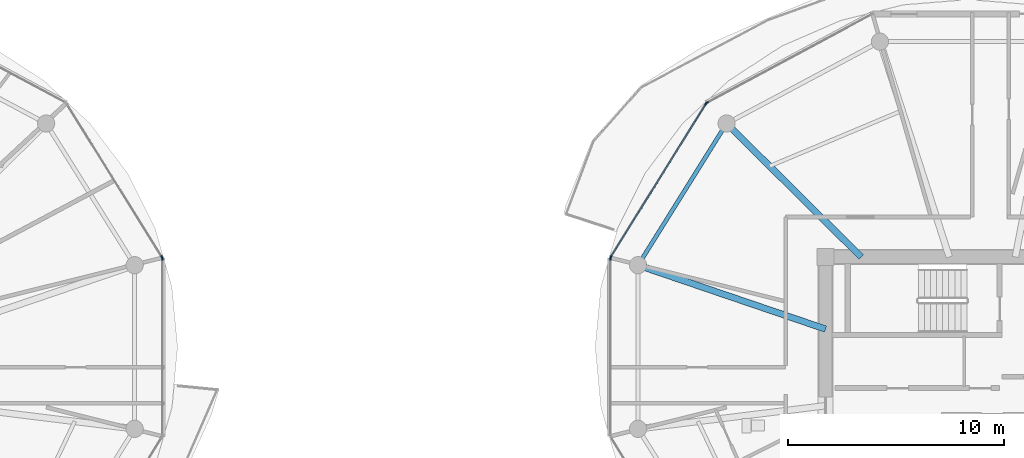
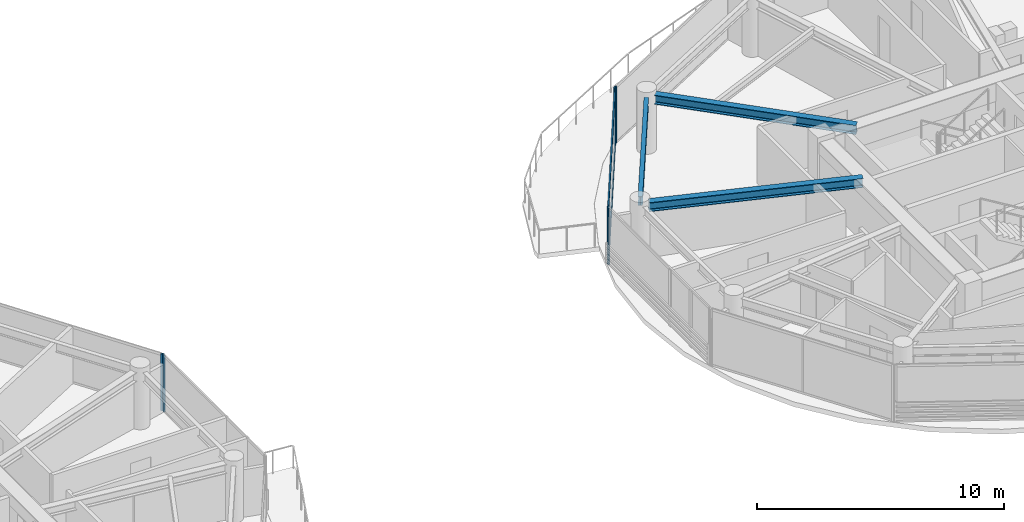
# One storey, part 7 of 23: 8 members, 3 beams, 5 elements without a shape of their own.
"""IFC4 building model written with IfcOpenShell, lengths in metres."""

import ifcopenshell
import ifcopenshell.guid

model = None  # the IFC model being written
_history = None  # IfcOwnerHistory: only IFC2X3 demands one
_inside = {}  # id of a spatial element -> (the spatial element, [elements in it])
_under = {}  # id of a project, library or spatial element -> (it, [spatial elements below it])
_declared = {}  # id of a project -> (the project, [libraries it declares])
_typed = {}  # id of a type object -> (the type object, [elements of that type])
_made_of = {}  # id of a material, layer set ... -> (it, [elements and type objects made of it])


def new_model(schema):
    """Start an empty IFC model of exactly this schema.

    Asked for "IFC4X3", IfcOpenShell would pick the latest addendum, in which some entities
    have other attributes; the version numbers below select the first issue.
    IFC2X3 requires an IfcOwnerHistory on every rooted entity: one is made here for all.
    """
    global model, _history
    if schema == "IFC4X3":
        model = ifcopenshell.file(schema_version=(4, 3, 0, 0))
    else:
        model = ifcopenshell.file(schema=schema)
    _inside.clear()
    _under.clear()
    _declared.clear()
    _typed.clear()
    _made_of.clear()
    _history = None
    if model.schema == "IFC2X3":
        org = make("IfcOrganization", Name="unknown")
        user = make(
            "IfcPersonAndOrganization",
            ThePerson=make("IfcPerson", FamilyName="unknown"),
            TheOrganization=org,
        )
        app = make(
            "IfcApplication",
            ApplicationDeveloper=org,
            Version="unknown",
            ApplicationFullName="unknown",
            ApplicationIdentifier="unknown",
        )
        _history = make(
            "IfcOwnerHistory",
            OwningUser=user,
            OwningApplication=app,
            ChangeAction="ADDED",
            CreationDate=0,
        )
    return model


def make(cls, **values):
    """One entity of the class cls with the attributes given. An attribute that is None is left unset."""
    return model.create_entity(
        cls, **{name: value for name, value in values.items() if value is not None}
    )


def rooted(cls, **values):
    """An entity with a GlobalId (a new one), such as an element, a storey or a relation."""
    return make(cls, GlobalId=ifcopenshell.guid.new(), OwnerHistory=_history, **values)


def si_unit(unit_type, name, prefix=None):
    """IfcSIUnit, for example si_unit("LENGTHUNIT", "METRE", prefix="MILLI")."""
    return make("IfcSIUnit", UnitType=unit_type, Prefix=prefix, Name=name)


def assignment(units):
    """IfcUnitAssignment: the units of a project."""
    return None if units is None else make("IfcUnitAssignment", Units=units)


def point(xyz):
    """IfcCartesianPoint."""
    return None if xyz is None else make("IfcCartesianPoint", Coordinates=xyz)


def direction(xyz):
    """IfcDirection."""
    return None if xyz is None else make("IfcDirection", DirectionRatios=xyz)


def frame(location, z_axis=None, x_axis=None):
    """IfcAxis2Placement3D, a coordinate frame: its origin and axes. An axis left out is left unset."""
    return make(
        "IfcAxis2Placement3D",
        Location=point(location),
        Axis=direction(z_axis),
        RefDirection=direction(x_axis),
    )


def frame_2d(location, x_axis=None):
    """IfcAxis2Placement2D, a coordinate frame in the plane: its origin and x axis."""
    return make(
        "IfcAxis2Placement2D", Location=point(location), RefDirection=direction(x_axis)
    )


def origin():
    """The frame at (0, 0, 0) with its axes left unset."""
    return frame((0.0, 0.0, 0.0))


def origin_2d():
    """The frame at (0, 0) in the plane with its x axis left unset."""
    return frame_2d((0.0, 0.0))


def place(relative_to, where):
    """IfcLocalPlacement: puts the frame where relative to a parent placement (None: the world)."""
    return make(
        "IfcLocalPlacement", PlacementRelTo=relative_to, RelativePlacement=where
    )


def context(
    kind, dimensions, precision=None, world=None, true_north=None, identifier=None
):
    """IfcGeometricRepresentationContext, for example the 3D "Model" context."""
    return make(
        "IfcGeometricRepresentationContext",
        ContextIdentifier=identifier,
        ContextType=kind,
        CoordinateSpaceDimension=dimensions,
        Precision=precision,
        WorldCoordinateSystem=world,
        TrueNorth=true_north,
    )


def subcontext(parent, identifier, kind, view, scale=None):
    """IfcGeometricRepresentationSubContext, for example "Body" below "Model"."""
    return make(
        "IfcGeometricRepresentationSubContext",
        ContextIdentifier=identifier,
        ContextType=kind,
        ParentContext=parent,
        TargetScale=scale,
        TargetView=view,
    )


def project(units=None, contexts=None):
    """IfcProject with its units and contexts."""
    return rooted(
        "IfcProject",
        Name="project",
        RepresentationContexts=contexts,
        UnitsInContext=assignment(units),
    )


def spatial(cls, under=None, at=None, **own):
    """A site, building, storey or space (cls), placed at a placement, below another one or the project."""
    s = rooted(cls, ObjectPlacement=at, **own)
    if under is not None:
        _under.setdefault(under.id(), (under, []))[1].append(s)
    return s


def profile(cls, at=None, kind="AREA", **sizes):
    """A parametric profile (cls). Its sizes go by their IFC names, for example OverallWidth=200.0."""
    return make(cls, ProfileType=kind, Position=at, **sizes)


def rectangle(**sizes):
    """IfcRectangleProfileDef."""
    return profile("IfcRectangleProfileDef", **sizes)


def i_section(**sizes):
    """IfcIShapeProfileDef."""
    return profile("IfcIShapeProfileDef", **sizes)


def extrude(swept, where, along, depth):
    """IfcExtrudedAreaSolid: the profile swept, set in the frame where, extruded along a direction by depth."""
    return make(
        "IfcExtrudedAreaSolid",
        SweptArea=swept,
        Position=where,
        ExtrudedDirection=direction(along),
        Depth=depth,
    )


def shape(context_of_items, identifier, shape_type, items):
    """IfcShapeRepresentation: the items that make up one representation, for example the "Body"."""
    return make(
        "IfcShapeRepresentation",
        ContextOfItems=context_of_items,
        RepresentationIdentifier=identifier,
        RepresentationType=shape_type,
        Items=items,
    )


def source(mapping_origin, context_of_items, identifier, shape_type, items):
    """IfcRepresentationMap: a shape defined once, which mapped items show again and again."""
    return make(
        "IfcRepresentationMap",
        MappingOrigin=mapping_origin,
        MappedRepresentation=shape(context_of_items, identifier, shape_type, items),
    )


def transform(
    local_origin,
    x_axis=None,
    y_axis=None,
    z_axis=None,
    scale=None,
    scale2=None,
    scale3=None,
    uniform=True,
):
    """IfcCartesianTransformationOperator3D, or its non-uniform kind. x_axis, y_axis, z_axis: its Axis1, 2, 3."""
    if uniform:
        return make(
            "IfcCartesianTransformationOperator3D",
            Axis1=direction(x_axis),
            Axis2=direction(y_axis),
            LocalOrigin=point(local_origin),
            Scale=scale,
            Axis3=direction(z_axis),
        )
    return make(
        "IfcCartesianTransformationOperator3DnonUniform",
        Axis1=direction(x_axis),
        Axis2=direction(y_axis),
        LocalOrigin=point(local_origin),
        Scale=scale,
        Axis3=direction(z_axis),
        Scale2=scale2,
        Scale3=scale3,
    )


def mapped(mapping_source, mapping_target):
    """IfcMappedItem: shows the shape of a source again, moved by a transform."""
    return make(
        "IfcMappedItem", MappingSource=mapping_source, MappingTarget=mapping_target
    )


def material(Name=None, Category=None):
    """IfcMaterial."""
    return make("IfcMaterial", Name=Name, Category=Category)


def layer(
    of_material, thickness, ventilated=None, Name=None, Category=None, Priority=None
):
    """IfcMaterialLayer: one layer of a wall or slab, of a material (None: an air gap)."""
    return make(
        "IfcMaterialLayer",
        Material=of_material,
        LayerThickness=thickness,
        IsVentilated=ventilated,
        Name=Name,
        Category=Category,
        Priority=Priority,
    )


def layer_set(layers, Name=None):
    """IfcMaterialLayerSet."""
    return make("IfcMaterialLayerSet", MaterialLayers=layers, LayerSetName=Name)


def material_profile(
    of_material, cross_section, Name=None, Category=None, Priority=None
):
    """IfcMaterialProfile: a cross section and its material."""
    return make(
        "IfcMaterialProfile",
        Name=Name,
        Material=of_material,
        Profile=cross_section,
        Priority=Priority,
        Category=Category,
    )


def profile_set(profiles, Name=None, composite=None):
    """IfcMaterialProfileSet."""
    return make(
        "IfcMaterialProfileSet",
        Name=Name,
        MaterialProfiles=profiles,
        CompositeProfile=composite,
    )


def made_of(thing, what):
    """Note that an element or type object is made of a material, layer set ...; save() writes the relation."""
    if what is not None:
        _made_of.setdefault(what.id(), (what, []))[1].append(thing)
    return thing


def type_object(cls, material=None, **own):
    """A type object (cls), such as IfcWallType, which elements share."""
    return made_of(rooted(cls, **own), material)


def type_shapes(of_type, sources):
    """Give a type object the sources (RepresentationMaps) that its elements show as mapped items."""
    of_type.RepresentationMaps = sources


def element(
    cls,
    number,
    at=None,
    inside=None,
    cuts=None,
    type_object=None,
    material=None,
    context=None,
    identifier="Body",
    shape_type=None,
    held_by="IfcProductDefinitionShape",
    body=None,
    shapes=None,
    **own,
):
    """One element of the class cls, such as IfcWall. Its Tag is "e" and its number.

    at: its placement. inside: the storey or other place that contains it. cuts: it is an
    opening in that element (IfcRelVoidsElement). A single representation is given by context,
    identifier, shape_type and body (its items); several are given by shapes. held_by: the class
    of the entity that holds the representations. save() writes the other relations.
    """
    e = rooted(cls, Tag="e%d" % number, ObjectPlacement=at, **own)
    if body is not None:
        shapes = [shape(context, identifier, shape_type, body)]
    if shapes is not None:
        e.Representation = make(held_by, Representations=shapes)
    if inside is not None:
        _inside.setdefault(inside.id(), (inside, []))[1].append(e)
    if cuts is not None:
        rooted(
            "IfcRelVoidsElement", RelatingBuildingElement=cuts, RelatedOpeningElement=e
        )
    if type_object is not None:
        _typed.setdefault(type_object.id(), (type_object, []))[1].append(e)
    return made_of(e, material)


def aggregate(whole, parts):
    """IfcRelAggregates: a whole, such as a stair, and the parts it consists of."""
    return rooted("IfcRelAggregates", RelatingObject=whole, RelatedObjects=parts)


def save(model, path):
    """Write the relations noted so far, then the file.

    IfcRelAggregates (storeys below a building ...), IfcRelContainedInSpatialStructure (elements
    in a storey), IfcRelDefinesByType, IfcRelAssociatesMaterial and IfcRelDeclares: one each for
    every whole, place, type object, material and project.
    """
    for whole, parts in _under.values():
        aggregate(whole, parts)
    for where, things in _inside.values():
        rooted(
            "IfcRelContainedInSpatialStructure",
            RelatedElements=things,
            RelatingStructure=where,
        )
    for kind, things in _typed.values():
        rooted("IfcRelDefinesByType", RelatedObjects=things, RelatingType=kind)
    for what, things in _made_of.values():
        rooted("IfcRelAssociatesMaterial", RelatedObjects=things, RelatingMaterial=what)
    for by, libraries in _declared.values():
        rooted("IfcRelDeclares", RelatingContext=by, RelatedDefinitions=libraries)
    model.write(path)


model = new_model("IFC4")

# Units and contexts
model_context = context("Model", 3, precision=1e-05, world=origin(), true_north=direction((0.0, 1.0)))
body_context = subcontext(model_context, "Body", "Model", "MODEL_VIEW")
ifc_project = project(units=[si_unit("LENGTHUNIT", "METRE"), si_unit("AREAUNIT", "SQUARE_METRE"), si_unit("VOLUMEUNIT", "CUBIC_METRE"), si_unit("PLANEANGLEUNIT", "RADIAN"), si_unit("MASSUNIT", "GRAM", prefix="KILO")], contexts=[model_context])

# Site, building, storey
site_placement = place(None, origin())
site = spatial("IfcSite", under=ifc_project, at=site_placement, CompositionType="ELEMENT")
building_placement = place(site_placement, origin())
building = spatial("IfcBuilding", under=site, at=building_placement, Name="Norrkilde Senior Care Towers", CompositionType="ELEMENT")
storey_placement = place(building_placement, frame((0.0, 0.0, 177.0)))
storey = spatial("IfcBuildingStorey", under=building, at=storey_placement, Name="L55", CompositionType="ELEMENT", Elevation=177.0)

# Beams
ifc_material_1 = material(Name="Steel S355", Category="steel")
ifc_material_profile_1 = material_profile(ifc_material_1, i_section(OverallWidth=0.18994140625, OverallDepth=0.449951171875, WebThickness=0.009521484375, FlangeThickness=0.0146484375, FilletRadius=0.02099609375, at=origin_2d()), Name="IPE 450")
ifc_profile_set_1 = profile_set([ifc_material_profile_1], Name="Steel S355")
beam_type_1 = type_object("IfcBeamType", Name="Perimeter Ring Spandrel Z3 IPE450", PredefinedType="SPANDREL", material=ifc_profile_set_1)
shared_shape_1 = source(origin(), body_context, "Body", "SweptSolid", [
    extrude(i_section(OverallWidth=0.18994140625, OverallDepth=0.449951171875, WebThickness=0.009521484375, FlangeThickness=0.0146484375, FilletRadius=0.02099609375, at=origin_2d()), origin(), (0.0, 0.0, 1.0), 7.0234375),
])
type_shapes(beam_type_1, [shared_shape_1])
beam_1_placement = place(storey_placement, frame((15.57666015625, 11.8291015625, 2.5849609375), z_axis=(-0.529789577822, -0.848129119433, 0.0), x_axis=(0.848129119433, -0.529789577822, 0.0)))
element("IfcBeam", 1, at=beam_1_placement, inside=storey, type_object=beam_type_1, Name="L55 Drum E Perimeter Spandrel 05", PredefinedType="SPANDREL", context=body_context, shape_type="MappedRepresentation", body=[
    mapped(shared_shape_1, transform((0.0, 0.0, 0.0), x_axis=(1.0, 0.0, 0.0), y_axis=(0.0, 1.0, 0.0), z_axis=(0.0, 0.0, 1.0), scale=1.0)),
])
ifc_material_profile_2 = material_profile(ifc_material_1, i_section(OverallWidth=0.300048828125, OverallDepth=0.449951171875, WebThickness=0.013916015625, FlangeThickness=0.02587890625, FilletRadius=0.027099609375, at=origin_2d()), Name="HEB 450")
ifc_profile_set_2 = profile_set([ifc_material_profile_2], Name="Steel S355")
beam_type_2 = type_object("IfcBeamType", Name="Radial Floor Beam Z3 HEB450", PredefinedType="BEAM", material=ifc_profile_set_2)
shared_shape_2 = source(origin(), body_context, "Body", "SweptSolid", [
    extrude(i_section(OverallWidth=0.300048828125, OverallDepth=0.449951171875, WebThickness=0.013916015625, FlangeThickness=0.02587890625, FilletRadius=0.027099609375, at=origin_2d()), origin(), (0.0, 0.0, 1.0), 8.8154296875),
])
beam_2_placement = place(storey_placement, frame((20.35009765625, 2.607177734375, 2.5849609375), z_axis=(-0.946540556878, 0.322584832539, 0.0), x_axis=(-0.322584832539, -0.946540556878, 0.0)))
element("IfcBeam", 2, at=beam_2_placement, inside=storey, type_object=beam_type_2, Name="L55 Drum E Radial Floor Beam 06", PredefinedType="BEAM", context=body_context, shape_type="MappedRepresentation", body=[
    mapped(shared_shape_2, transform((0.0, 0.0, 0.0), x_axis=(1.0, 0.0, 0.0), y_axis=(0.0, 1.0, 0.0), z_axis=(0.0, 0.0, 1.0), scale=1.0)),
])
shared_shape_3 = source(origin(), body_context, "Body", "SweptSolid", [
    extrude(i_section(OverallWidth=0.300048828125, OverallDepth=0.449951171875, WebThickness=0.013916015625, FlangeThickness=0.02587890625, FilletRadius=0.027099609375, at=origin_2d()), origin(), (0.0, 0.0, 1.0), 8.421630859375),
])
type_shapes(beam_type_2, [shared_shape_2, shared_shape_3])
beam_3_placement = place(storey_placement, frame((22.001953125, 5.949951171875, 2.5849609375), z_axis=(-0.709956495972, 0.704245535184, 0.0), x_axis=(-0.704245535184, -0.709956495972, 0.0)))
element("IfcBeam", 3, at=beam_3_placement, inside=storey, type_object=beam_type_2, Name="L55 Drum E Radial Floor Beam 05", PredefinedType="BEAM", context=body_context, shape_type="MappedRepresentation", body=[
    mapped(shared_shape_3, transform((0.0, 0.0, 0.0), x_axis=(1.0, 0.0, 0.0), y_axis=(0.0, 1.0, 0.0), z_axis=(0.0, 0.0, 1.0), scale=1.0)),
])

# Curtain wall, member
ifc_material_2 = material(Name="Triple Low-E Insulated Glazing", Category="glass")
ifc_layer = layer(ifc_material_2, 0.18994140625)
ifc_layer_set = layer_set([ifc_layer], Name="Triple Low-E Insulated Glazing")
curtain_wall_type = type_object("IfcCurtainWallType", Name="CW4 Zone 3 Senior Residence Curtain Wall", PredefinedType="NOTDEFINED", material=ifc_layer_set)
curtain_wall_1_placement = place(storey_placement, origin())
curtain_wall_1 = element("IfcCurtainWall", 4, at=curtain_wall_1_placement, inside=storey, type_object=curtain_wall_type, Name="L55 Drum W Curtain Wall 00", PredefinedType="NOTDEFINED")
ifc_material_3 = material(Name="Anodised Aluminium", Category="aluminium")
ifc_material_profile_3 = material_profile(ifc_material_3, rectangle(XDim=0.06494140625, YDim=0.14990234375, at=origin_2d()), Name="ALU MULL 65x150")
ifc_profile_set_3 = profile_set([ifc_material_profile_3], Name="Anodised Aluminium")
member_type_1 = type_object("IfcMemberType", Name="Curtain Wall Mullion Z3-Z4 65x150", PredefinedType="MULLION", material=ifc_profile_set_3)
shared_shape_4 = source(origin(), body_context, "Body", "SweptSolid", [
    extrude(rectangle(XDim=0.06494140625, YDim=0.14990234375, at=origin_2d()), origin(), (0.0, 0.0, 1.0), 2.81005859375),
])
type_shapes(member_type_1, [shared_shape_4])
member_1_placement = place(storey_placement, frame((-10.3974609375, 5.93896484375, 0.0), z_axis=(0.0, 0.0, 1.0), x_axis=(0.84963405474, 0.52737270789, 0.0)))
member_1 = element("IfcMember", 5, at=member_1_placement, type_object=member_type_1, Name="CW-4 mullion 2", PredefinedType="MULLION", context=body_context, shape_type="MappedRepresentation", body=[
    mapped(shared_shape_4, transform((0.0, 0.0, 0.0), x_axis=(1.0, 0.0, 0.0), y_axis=(0.0, 1.0, 0.0), z_axis=(0.0, 0.0, 1.0), scale=1.0)),
])
aggregate(curtain_wall_1, [member_1])

curtain_wall_2_placement = place(storey_placement, origin())
curtain_wall_2 = element("IfcCurtainWall", 6, at=curtain_wall_2_placement, inside=storey, type_object=curtain_wall_type, Name="L55 Drum W Curtain Wall 11", PredefinedType="NOTDEFINED")
member_2_placement = place(storey_placement, frame((-10.38037109375, 5.878662109375, 0.0), z_axis=(0.0, 0.0, 1.0), x_axis=(1.0, 0.0, 0.0)))
member_2 = element("IfcMember", 7, at=member_2_placement, type_object=member_type_1, Name="CW-4 mullion 1", PredefinedType="MULLION", context=body_context, shape_type="MappedRepresentation", body=[
    mapped(shared_shape_4, transform((0.0, 0.0, 0.0), x_axis=(1.0, 0.0, 0.0), y_axis=(0.0, 1.0, 0.0), z_axis=(0.0, 0.0, 1.0), scale=1.0)),
])
aggregate(curtain_wall_2, [member_2])

curtain_wall_3_placement = place(storey_placement, origin())
curtain_wall_3 = element("IfcCurtainWall", 8, at=curtain_wall_3_placement, inside=storey, type_object=curtain_wall_type, Name="L55 Drum E Curtain Wall 03", PredefinedType="NOTDEFINED")
member_3_placement = place(storey_placement, frame((14.85546875, 13.09033203125, 0.0), z_axis=(0.0, 0.0, 1.0), x_axis=(-0.47311715104, 0.880999524059, 0.0)))
member_3 = element("IfcMember", 9, at=member_3_placement, type_object=member_type_1, Name="CW-4 mullion 1", PredefinedType="MULLION", context=body_context, shape_type="MappedRepresentation", body=[
    mapped(shared_shape_4, transform((0.0, 0.0, 0.0), x_axis=(1.0, 0.0, 0.0), y_axis=(0.0, 1.0, 0.0), z_axis=(0.0, 0.0, 1.0), scale=1.0)),
])
aggregate(curtain_wall_3, [member_3])

# Curtain wall, members
curtain_wall_4_placement = place(storey_placement, origin())
curtain_wall_4 = element("IfcCurtainWall", 10, at=curtain_wall_4_placement, inside=storey, type_object=curtain_wall_type, Name="L55 Drum E Curtain Wall 04", PredefinedType="NOTDEFINED")
member_4_placement = place(storey_placement, frame((10.3974609375, 5.93896484375, 0.0), z_axis=(0.0, 0.0, 1.0), x_axis=(-0.84963405474, 0.52737270789, 0.0)))
member_4 = element("IfcMember", 11, at=member_4_placement, type_object=member_type_1, Name="CW-4 mullion 1", PredefinedType="MULLION", context=body_context, shape_type="MappedRepresentation", body=[
    mapped(shared_shape_4, transform((0.0, 0.0, 0.0), x_axis=(1.0, 0.0, 0.0), y_axis=(0.0, 1.0, 0.0), z_axis=(0.0, 0.0, 1.0), scale=1.0)),
])
member_5_placement = place(storey_placement, frame((14.809814453125, 13.04736328125, 0.0), z_axis=(0.0, 0.0, 1.0), x_axis=(-0.84963405474, 0.52737270789, 0.0)))
member_5 = element("IfcMember", 12, at=member_5_placement, type_object=member_type_1, Name="CW-4 mullion 2", PredefinedType="MULLION", context=body_context, shape_type="MappedRepresentation", body=[
    mapped(shared_shape_4, transform((0.0, 0.0, 0.0), x_axis=(1.0, 0.0, 0.0), y_axis=(0.0, 1.0, 0.0), z_axis=(0.0, 0.0, 1.0), scale=1.0)),
])

# Curtain wall, member
curtain_wall_5_placement = place(storey_placement, origin())
curtain_wall_5 = element("IfcCurtainWall", 13, at=curtain_wall_5_placement, inside=storey, type_object=curtain_wall_type, Name="L55 Drum E Curtain Wall 05", PredefinedType="NOTDEFINED")
member_6_placement = place(storey_placement, frame((10.38037109375, 5.878662109375, 0.0), z_axis=(0.0, 0.0, 1.0), x_axis=(-1.0, 0.0, 0.0)))
member_6 = element("IfcMember", 14, at=member_6_placement, type_object=member_type_1, Name="CW-4 mullion 2", PredefinedType="MULLION", context=body_context, shape_type="MappedRepresentation", body=[
    mapped(shared_shape_4, transform((0.0, 0.0, 0.0), x_axis=(1.0, 0.0, 0.0), y_axis=(0.0, 1.0, 0.0), z_axis=(0.0, 0.0, 1.0), scale=1.0)),
])
aggregate(curtain_wall_5, [member_6])

# Member
ifc_material_profile_4 = material_profile(ifc_material_3, rectangle(XDim=0.06005859375, YDim=0.1201171875, at=origin_2d()), Name="ALU TRAN 60x120")
ifc_profile_set_4 = profile_set([ifc_material_profile_4], Name="Anodised Aluminium")
member_type_2 = type_object("IfcMemberType", Name="Curtain Wall Transom Typical 60x120", PredefinedType="USERDEFINED", material=ifc_profile_set_4)
shared_shape_5 = source(origin(), body_context, "Body", "SweptSolid", [
    extrude(rectangle(XDim=0.06005859375, YDim=0.1201171875, at=origin_2d()), origin(), (0.0, 0.0, 1.0), 8.301513671875),
])
type_shapes(member_type_2, [shared_shape_5])
member_7_placement = place(storey_placement, frame((10.414794921875, 5.966552734375, 0.030029296875), z_axis=(0.527368718394, 0.849636531029, 0.0), x_axis=(-0.849636531029, 0.527368718394, 0.0)))
member_7 = element("IfcMember", 15, at=member_7_placement, type_object=member_type_2, Name="CW-4 transom 1.1", ObjectType="TRANSOM", PredefinedType="USERDEFINED", context=body_context, shape_type="MappedRepresentation", body=[
    mapped(shared_shape_5, transform((0.0, 0.0, 0.0), x_axis=(1.0, 0.0, 0.0), y_axis=(0.0, 1.0, 0.0), z_axis=(0.0, 0.0, 1.0), scale=1.0)),
])

member_8_placement = place(storey_placement, frame((10.414794921875, 5.966552734375, 2.780029296875), z_axis=(0.527368718394, 0.849636531029, 0.0), x_axis=(-0.849636531029, 0.527368718394, 0.0)))
member_8 = element("IfcMember", 16, at=member_8_placement, type_object=member_type_2, Name="CW-4 transom 1.2", ObjectType="TRANSOM", PredefinedType="USERDEFINED", context=body_context, shape_type="MappedRepresentation", body=[
    mapped(shared_shape_5, transform((0.0, 0.0, 0.0), x_axis=(1.0, 0.0, 0.0), y_axis=(0.0, 1.0, 0.0), z_axis=(0.0, 0.0, 1.0), scale=1.0)),
])

aggregate(curtain_wall_4, [member_4, member_5, member_7, member_8])

save(model, "model.ifc")
